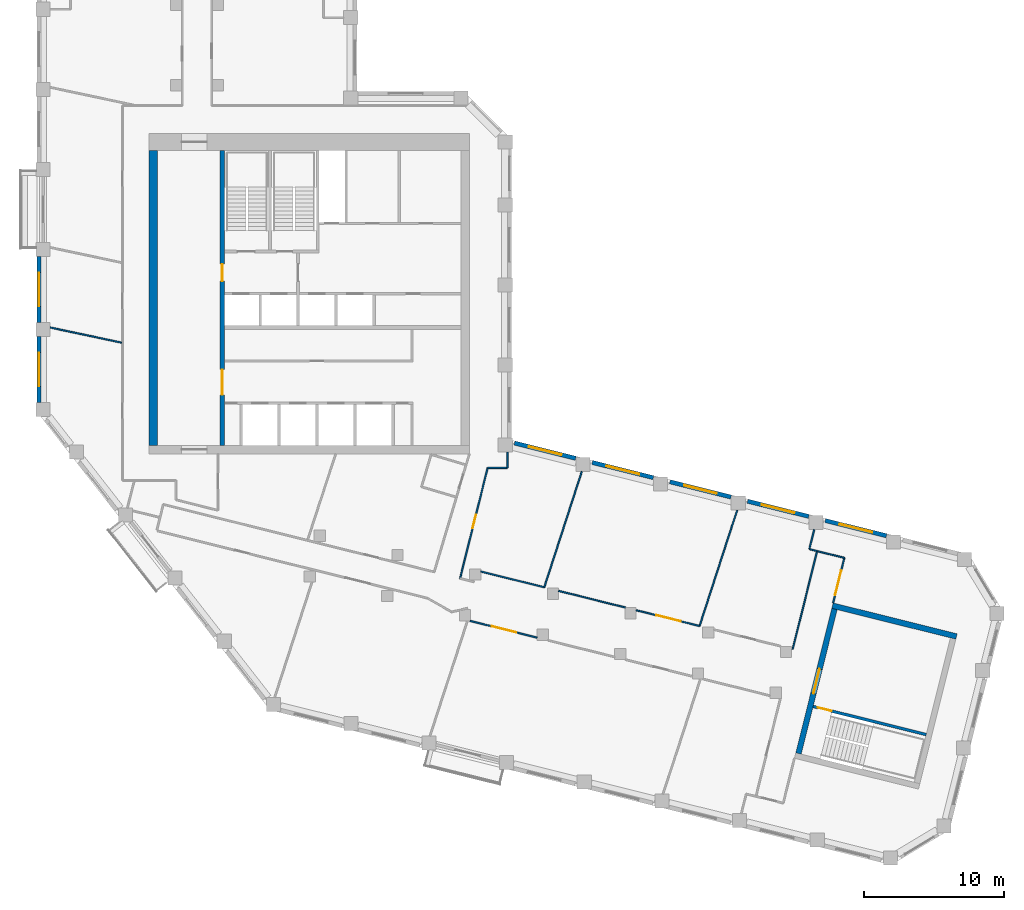
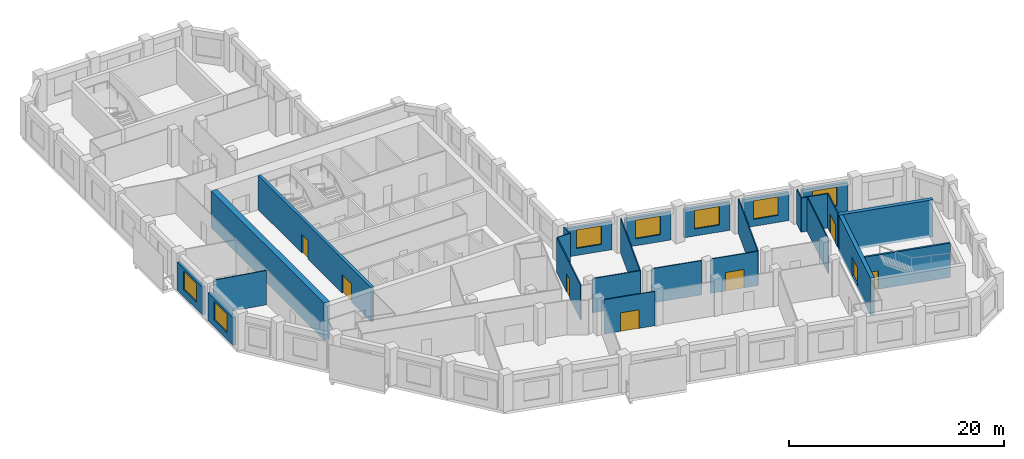
# One storey, part 4 of 9: 27 walls, 8 doors, 7 windows, 15 openings.
"""IFC4 building model written with IfcOpenShell, lengths in metres."""

from ifc_helpers import new_model, si_unit, direction, frame, frame_2d, origin, place, context, subcontext, project, spatial, rectangle, extrude, material, layer, layer_set, type_object, element, fill, save


model = new_model("IFC4")

# Units and contexts
model_context = context("Model", 3, precision=1e-05, world=origin(), true_north=direction((0.0, 1.0)))
body_context = subcontext(model_context, "Body", "Model", "MODEL_VIEW")
ifc_project = project(units=[si_unit("LENGTHUNIT", "METRE"), si_unit("AREAUNIT", "SQUARE_METRE"), si_unit("VOLUMEUNIT", "CUBIC_METRE"), si_unit("PLANEANGLEUNIT", "RADIAN"), si_unit("MASSUNIT", "GRAM", prefix="KILO")], contexts=[model_context])

# Site, building, storey
site_placement = place(None, origin())
site = spatial("IfcSite", under=ifc_project, at=site_placement, CompositionType="ELEMENT")
building_placement = place(site_placement, origin())
building = spatial("IfcBuilding", under=site, at=building_placement, Name="Meshkara Civic Tower", CompositionType="ELEMENT")
storey_placement = place(building_placement, frame((0.0, 0.0, 327.60009765625)))
storey = spatial("IfcBuildingStorey", under=building, at=storey_placement, Name="L75", CompositionType="ELEMENT", Elevation=327.60009765625)

# Wall
ifc_material_1 = material(Name="Concrete C60", Category="concrete")
ifc_layer_1 = layer(ifc_material_1, 0.60009765625)
ifc_layer_set_1 = layer_set([ifc_layer_1], Name="Core ring wall 600 C60")
wall_type_1 = type_object("IfcWallType", Name="Core ring wall 600 C60", PredefinedType="SHEAR", material=ifc_layer_set_1)
wall_1_placement = place(storey_placement, frame((8.300048828125, 14.699951171875, -0.300048828125), z_axis=(0.0, 0.0, 1.0), x_axis=(0.0, 1.0, 0.0)))
element("IfcWall", 1, at=wall_1_placement, inside=storey, type_object=wall_type_1, Name="L75-C003", PredefinedType="SHEAR", context=body_context, shape_type="SweptSolid", body=[
    extrude(rectangle(XDim=21.0, YDim=0.60009765625, at=frame_2d((10.5, 0.0))), origin(), (0.0, 0.0, 1.0), 4.199951171875),
])

# Wall, openings, doors
ifc_material_2 = material(Name="Concrete C60", Category="concrete")
ifc_layer_2 = layer(ifc_material_2, 0.300048828125)
ifc_layer_set_2 = layer_set([ifc_layer_2], Name="Core shear wall 300 C60")
wall_type_2 = type_object("IfcWallType", Name="Core shear wall 300 C60", PredefinedType="SHEAR", material=ifc_layer_set_2)
wall_2_placement = place(storey_placement, frame((13.199951171875, 14.699951171875, 0.0), z_axis=(0.0, 0.0, 1.0), x_axis=(0.0, 1.0, 0.0)))
wall_2 = element("IfcWall", 2, at=wall_2_placement, inside=storey, type_object=wall_type_2, Name="L75-C011", PredefinedType="SHEAR", context=body_context, shape_type="SweptSolid", body=[
    extrude(rectangle(XDim=21.0, YDim=0.300048828125, at=frame_2d((10.5, 0.0))), origin(), (0.0, 0.0, 1.0), 3.89990234375),
])
opening_1_placement = place(wall_2_placement, frame((3.60009765625, 0.0, 0.0)))
opening_1 = element("IfcOpeningElement", 3, at=opening_1_placement, cuts=wall_2, Name="Opening L75-K018", PredefinedType="OPENING", context=body_context, shape_type="SweptSolid", body=[
    extrude(rectangle(XDim=1.800048828125, YDim=2.10009765625, at=frame_2d((0.89990234375, 1.050048828125))), frame((0.0, 0.159912109375, 0.0), z_axis=(0.0, -1.0, 0.0), x_axis=(1.0, 0.0, 0.0)), (0.0, 0.0, 1.0), 0.320068359375),
])
opening_2_placement = place(wall_2_placement, frame((11.699951171875, 0.0, 0.0)))
opening_2 = element("IfcOpeningElement", 4, at=opening_2_placement, cuts=wall_2, Name="Opening L75-K019", PredefinedType="OPENING", context=body_context, shape_type="SweptSolid", body=[
    extrude(rectangle(XDim=1.199951171875, YDim=2.10009765625, at=frame_2d((0.60009765625, 1.050048828125))), frame((0.0, 0.159912109375, 0.0), z_axis=(0.0, -1.0, 0.0), x_axis=(1.0, 0.0, 0.0)), (0.0, 0.0, 1.0), 0.320068359375),
])
ifc_material_3 = material(Name="Fire-rated door leaf in steel frame", Category="steel")
door_type_1 = type_object("IfcDoorType", Name="Core double door 1800 EI 60", OperationType="DOUBLE_DOOR_SINGLE_SWING", PredefinedType="DOOR", material=ifc_material_3)
door_1_placement = place(opening_1_placement, origin())
door_1 = element("IfcDoor", 5, at=door_1_placement, inside=storey, type_object=door_type_1, Name="L75-K018", OperationType="DOUBLE_DOOR_SINGLE_SWING", OverallHeight=2.10009765625, OverallWidth=1.800048828125, PredefinedType="DOOR", context=body_context, shape_type="SweptSolid", body=[
    extrude(rectangle(XDim=1.800048828125, YDim=2.10009765625, at=frame_2d((0.89990234375, 1.050048828125))), frame((0.0, 0.02490234375, 0.0), z_axis=(0.0, -1.0, 0.0), x_axis=(1.0, 0.0, 0.0)), (0.0, 0.0, 1.0), 0.050048828125),
])
fill(opening_1, door_1)
ifc_material_4 = material(Name="Fire-rated door leaf in steel frame", Category="steel")
door_type_2 = type_object("IfcDoorType", Name="Fire-fighting lobby door 1200 EI 120", OperationType="SINGLE_SWING_LEFT", PredefinedType="DOOR", material=ifc_material_4)
door_2_placement = place(opening_2_placement, origin())
door_2 = element("IfcDoor", 6, at=door_2_placement, inside=storey, type_object=door_type_2, Name="L75-K019", OperationType="SINGLE_SWING_LEFT", OverallHeight=2.10009765625, OverallWidth=1.199951171875, PredefinedType="DOOR", context=body_context, shape_type="SweptSolid", body=[
    extrude(rectangle(XDim=1.199951171875, YDim=2.10009765625, at=frame_2d((0.60009765625, 1.050048828125))), frame((0.0, 0.02490234375, 0.0), z_axis=(0.0, -1.0, 0.0), x_axis=(1.0, 0.0, 0.0)), (0.0, 0.0, 1.0), 0.050048828125),
])
fill(opening_2, door_2)

# Wall, opening, door
ifc_material_5 = material(Name="Corridor wall 100")
ifc_layer_3 = layer(ifc_material_5, 0.10009765625)
ifc_layer_set_3 = layer_set([ifc_layer_3], Name="Corridor wall 100")
wall_type_3 = type_object("IfcWallType", Name="Corridor wall 100", PredefinedType="PARTITIONING", material=ifc_layer_set_3)
wall_3_placement = place(storey_placement, frame((30.134033203125, 5.22998046875, 0.0), z_axis=(0.0, 0.0, 1.0), x_axis=(0.24199734369, 0.970276911839, 0.0)))
wall_3 = element("IfcWall", 7, at=wall_3_placement, inside=storey, type_object=wall_type_3, Name="L75-W021", PredefinedType="PARTITIONING", context=body_context, shape_type="SweptSolid", body=[
    extrude(rectangle(XDim=8.111328125, YDim=0.10009765625, at=frame_2d((4.0556640625, 0.0))), origin(), (0.0, 0.0, 1.0), 3.89990234375),
])
opening_3_placement = place(wall_3_placement, frame((3.679931640625, 0.0, 0.0)))
opening_3 = element("IfcOpeningElement", 8, at=opening_3_placement, cuts=wall_3, Name="Opening L75-D011", PredefinedType="OPENING", context=body_context, shape_type="SweptSolid", body=[
    extrude(rectangle(XDim=1.0, YDim=2.10009765625, at=frame_2d((0.5, 1.050048828125))), frame((0.0, 0.06005859375, 0.0), z_axis=(0.0, -1.0, 0.0), x_axis=(1.0, 0.0, 0.0)), (0.0, 0.0, 1.0), 0.1201171875),
])
ifc_material_6 = material(Name="Door 1000 x 2100")
door_type_3 = type_object("IfcDoorType", Name="Door 1000 x 2100", OperationType="SINGLE_SWING_LEFT", PredefinedType="DOOR", material=ifc_material_6)
door_3_placement = place(opening_3_placement, origin())
door_3 = element("IfcDoor", 9, at=door_3_placement, inside=storey, type_object=door_type_3, Name="L75-D011", OperationType="SINGLE_SWING_LEFT", OverallHeight=2.10009765625, OverallWidth=1.0, PredefinedType="DOOR", context=body_context, shape_type="SweptSolid", body=[
    extrude(rectangle(XDim=1.0, YDim=2.10009765625, at=frame_2d((0.5, 1.050048828125))), frame((0.0, 0.02490234375, 0.0), z_axis=(0.0, -1.0, 0.0), x_axis=(1.0, 0.0, 0.0)), (0.0, 0.0, 1.0), 0.050048828125),
])
fill(opening_3, door_3)

wall_4_placement = place(storey_placement, frame((30.84912109375, 2.201904296875, 0.0), z_axis=(0.0, 0.0, 1.0), x_axis=(0.970320559999, -0.241822271189, 0.0)))
wall_4 = element("IfcWall", 10, at=wall_4_placement, inside=storey, type_object=wall_type_3, Name="L75-W023", PredefinedType="PARTITIONING", context=body_context, shape_type="SweptSolid", body=[
    extrude(rectangle(XDim=4.91259765625, YDim=0.10009765625, at=frame_2d((2.456298828125, 0.0))), origin(), (0.0, 0.0, 1.0), 3.89990234375),
])
opening_4_placement = place(wall_4_placement, frame((1.580078125, 0.0, 0.0)))
opening_4 = element("IfcOpeningElement", 11, at=opening_4_placement, cuts=wall_4, Name="Opening L75-D005", PredefinedType="OPENING", context=body_context, shape_type="SweptSolid", body=[
    extrude(rectangle(XDim=1.800048828125, YDim=2.10009765625, at=frame_2d((0.89990234375, 1.050048828125))), frame((0.0, 0.06005859375, 0.0), z_axis=(0.0, -1.0, 0.0), x_axis=(1.0, 0.0, 0.0)), (0.0, 0.0, 1.0), 0.1201171875),
])
ifc_material_7 = material(Name="Door pair 1800 x 2100")
door_type_4 = type_object("IfcDoorType", Name="Door pair 1800 x 2100", OperationType="SINGLE_SWING_LEFT", PredefinedType="DOOR", material=ifc_material_7)
door_4_placement = place(opening_4_placement, origin())
door_4 = element("IfcDoor", 12, at=door_4_placement, inside=storey, type_object=door_type_4, Name="L75-D005", OperationType="DOUBLE_DOOR_SINGLE_SWING", OverallHeight=2.10009765625, OverallWidth=1.800048828125, PredefinedType="DOOR", context=body_context, shape_type="SweptSolid", body=[
    extrude(rectangle(XDim=1.800048828125, YDim=2.10009765625, at=frame_2d((0.89990234375, 1.050048828125))), frame((0.0, 0.02490234375, 0.0), z_axis=(0.0, -1.0, 0.0), x_axis=(1.0, 0.0, 0.0)), (0.0, 0.0, 1.0), 0.050048828125),
])
fill(opening_4, door_4)

# Walls
wall_5_placement = place(storey_placement, frame((32.096923828125, 13.10009765625, 0.0), z_axis=(0.0, 0.0, 1.0), x_axis=(1.0, 0.0, 0.0)))
element("IfcWall", 13, at=wall_5_placement, inside=storey, type_object=wall_type_3, Name="L75-W026", PredefinedType="PARTITIONING", context=body_context, shape_type="SweptSolid", body=[
    extrude(rectangle(XDim=1.403076171875, YDim=0.10009765625, at=frame_2d((0.70166015625, 0.0))), origin(), (0.0, 0.0, 1.0), 3.89990234375),
])
wall_6_placement = place(storey_placement, frame((33.5, 13.10009765625, 0.0), z_axis=(0.0, 0.0, 1.0), x_axis=(0.0, 1.0, 0.0)))
element("IfcWall", 14, at=wall_6_placement, inside=storey, type_object=wall_type_3, Name="L75-W027", PredefinedType="PARTITIONING", context=body_context, shape_type="SweptSolid", body=[
    extrude(rectangle(XDim=1.118896484375, YDim=0.10009765625, at=frame_2d((0.5595703125, 0.0))), origin(), (0.0, 0.0, 1.0), 3.89990234375),
])
wall_7_placement = place(storey_placement, frame((36.1240234375, 4.596923828125, 0.0), z_axis=(0.0, 0.0, 1.0), x_axis=(-0.970305929364, 0.241880969571, 0.0)))
element("IfcWall", 15, at=wall_7_placement, inside=storey, type_object=wall_type_3, Name="L75-W028", PredefinedType="PARTITIONING", context=body_context, shape_type="SweptSolid", body=[
    extrude(rectangle(XDim=4.651123046875, YDim=0.10009765625, at=frame_2d((2.32568359375, 0.0))), origin(), (0.0, 0.0, 1.0), 3.89990234375),
])
wall_8_placement = place(storey_placement, frame((41.907958984375, 3.155029296875, 0.0), z_axis=(0.0, 0.0, 1.0), x_axis=(-0.970308932068, 0.2418689239, 0.0)))
element("IfcWall", 16, at=wall_8_placement, inside=storey, type_object=wall_type_3, Name="L75-W031", PredefinedType="PARTITIONING", context=body_context, shape_type="SweptSolid", body=[
    extrude(rectangle(XDim=4.91162109375, YDim=0.10009765625, at=frame_2d((2.455810546875, 0.0))), origin(), (0.0, 0.0, 1.0), 3.89990234375),
])

# Wall, opening, door
wall_9_placement = place(storey_placement, frame((47.18603515625, 1.839111328125, 0.0), z_axis=(0.0, 0.0, 1.0), x_axis=(-0.970318209974, 0.241831700555, 0.0)))
wall_9 = element("IfcWall", 17, at=wall_9_placement, inside=storey, type_object=wall_type_3, Name="L75-W032", PredefinedType="PARTITIONING", context=body_context, shape_type="SweptSolid", body=[
    extrude(rectangle(XDim=4.652099609375, YDim=0.10009765625, at=frame_2d((2.326171875, 0.0))), origin(), (0.0, 0.0, 1.0), 3.89990234375),
])
opening_5_placement = place(wall_9_placement, frame((1.3798828125, 0.0, 0.0)))
opening_5 = element("IfcOpeningElement", 18, at=opening_5_placement, cuts=wall_9, Name="Opening L75-D006", PredefinedType="OPENING", context=body_context, shape_type="SweptSolid", body=[
    extrude(rectangle(XDim=1.800048828125, YDim=2.10009765625, at=frame_2d((0.89990234375, 1.050048828125))), frame((0.0, 0.06005859375, 0.0), z_axis=(0.0, -1.0, 0.0), x_axis=(1.0, 0.0, 0.0)), (0.0, 0.0, 1.0), 0.1201171875),
])
door_5_placement = place(opening_5_placement, origin())
door_5 = element("IfcDoor", 19, at=door_5_placement, inside=storey, type_object=door_type_4, Name="L75-D006", OperationType="DOUBLE_DOOR_SINGLE_SWING", OverallHeight=2.10009765625, OverallWidth=1.800048828125, PredefinedType="DOOR", context=body_context, shape_type="SweptSolid", body=[
    extrude(rectangle(XDim=1.800048828125, YDim=2.10009765625, at=frame_2d((0.89990234375, 1.050048828125))), frame((0.0, 0.02490234375, 0.0), z_axis=(0.0, -1.0, 0.0), x_axis=(1.0, 0.0, 0.0)), (0.0, 0.0, 1.0), 0.050048828125),
])
fill(opening_5, door_5)

# Wall
wall_10_placement = place(storey_placement, frame((55.555908203125, 7.173095703125, 0.0), z_axis=(0.0, 0.0, 1.0), x_axis=(-0.241937193493, -0.970291911955, 0.0)))
element("IfcWall", 20, at=wall_10_placement, inside=storey, type_object=wall_type_3, Name="L75-W038", PredefinedType="PARTITIONING", context=body_context, shape_type="SweptSolid", body=[
    extrude(rectangle(XDim=7.199951171875, YDim=0.10009765625, at=frame_2d((3.60009765625, 0.0))), origin(), (0.0, 0.0, 1.0), 3.89990234375),
])

# Wall, opening, door
wall_11_placement = place(storey_placement, frame((56.697998046875, 3.487060546875, 0.0), z_axis=(0.0, 0.0, 1.0), x_axis=(0.241856645367, 0.970311992656, 0.0)))
wall_11 = element("IfcWall", 21, at=wall_11_placement, inside=storey, type_object=wall_type_3, Name="L75-W039", PredefinedType="PARTITIONING", context=body_context, shape_type="SweptSolid", body=[
    extrude(rectangle(XDim=3.2998046875, YDim=0.10009765625, at=frame_2d((1.64990234375, 0.0))), origin(), (0.0, 0.0, 1.0), 3.89990234375),
])
opening_6_placement = place(wall_11_placement, frame((0.580078125, 0.0, 0.0)))
opening_6 = element("IfcOpeningElement", 22, at=opening_6_placement, cuts=wall_11, Name="Opening L75-D008", PredefinedType="OPENING", context=body_context, shape_type="SweptSolid", body=[
    extrude(rectangle(XDim=1.800048828125, YDim=2.10009765625, at=frame_2d((0.89990234375, 1.050048828125))), frame((0.0, 0.06005859375, 0.0), z_axis=(0.0, -1.0, 0.0), x_axis=(1.0, 0.0, 0.0)), (0.0, 0.0, 1.0), 0.1201171875),
])
door_6_placement = place(opening_6_placement, origin())
door_6 = element("IfcDoor", 23, at=door_6_placement, inside=storey, type_object=door_type_4, Name="L75-D008", OperationType="DOUBLE_DOOR_SINGLE_SWING", OverallHeight=2.10009765625, OverallWidth=1.800048828125, PredefinedType="DOOR", context=body_context, shape_type="SweptSolid", body=[
    extrude(rectangle(XDim=1.800048828125, YDim=2.10009765625, at=frame_2d((0.89990234375, 1.050048828125))), frame((0.0, 0.02490234375, 0.0), z_axis=(0.0, -1.0, 0.0), x_axis=(1.0, 0.0, 0.0)), (0.0, 0.0, 1.0), 0.050048828125),
])
fill(opening_6, door_6)

# Wall
wall_12_placement = place(storey_placement, frame((57.49609375, 6.68896484375, 0.0), z_axis=(0.0, 0.0, 1.0), x_axis=(-0.970250131019, 0.242104694829, 0.0)))
element("IfcWall", 24, at=wall_12_placement, inside=storey, type_object=wall_type_3, Name="L75-W040", PredefinedType="PARTITIONING", context=body_context, shape_type="SweptSolid", body=[
    extrude(rectangle(XDim=1.999755859375, YDim=0.10009765625, at=frame_2d((1.0, 0.0))), origin(), (0.0, 0.0, 1.0), 3.89990234375),
])

# Wall, opening, window
ifc_material_8 = material(Name="Insulated infill panel with bronze anodised aluminium cladding", Category="aluminium")
ifc_layer_4 = layer(ifc_material_8, 0.300048828125)
ifc_layer_set_4 = layer_set([ifc_layer_4], Name="EXTERNAL INFILL WALL 300")
wall_type_4 = type_object("IfcWallType", Name="EXTERNAL INFILL WALL 300", PredefinedType="SOLIDWALL", material=ifc_layer_set_4)
wall_13_placement = place(storey_placement, frame((60.488037109375, 8.261962890625, 0.0), z_axis=(0.0, 0.0, 1.0), x_axis=(-0.970276766004, 0.241997928406, 0.0)))
wall_13 = element("IfcWall", 25, at=wall_13_placement, inside=storey, type_object=wall_type_4, Name="External wall", PredefinedType="SOLIDWALL", context=body_context, shape_type="SweptSolid", body=[
    extrude(rectangle(XDim=4.4873046875, YDim=0.300048828125, at=frame_2d((2.24365234375, 0.0))), origin(), (0.0, 0.0, 1.0), 3.199951171875),
])
opening_7_placement = place(wall_13_placement, frame((1.0439453125, 0.0, 0.800048828125)))
opening_7 = element("IfcOpeningElement", 26, at=opening_7_placement, cuts=wall_13, Name="Opening W7", PredefinedType="OPENING", context=body_context, shape_type="SweptSolid", body=[
    extrude(rectangle(XDim=2.39990234375, YDim=2.10009765625, at=frame_2d((1.199951171875, 1.050048828125))), frame((0.0, 0.159912109375, 0.0), z_axis=(0.0, -1.0, 0.0), x_axis=(1.0, 0.0, 0.0)), (0.0, 0.0, 1.0), 0.320068359375),
])
ifc_material_9 = material(Name="Tinted double glazing", Category="glass")
window_type = type_object("IfcWindowType", Name="WINDOW 2400x2100", PartitioningType="DOUBLE_PANEL_VERTICAL", PredefinedType="WINDOW", material=ifc_material_9)
window_1_placement = place(opening_7_placement, origin())
window_1 = element("IfcWindow", 27, at=window_1_placement, inside=storey, type_object=window_type, Name="Window", OverallHeight=2.10009765625, OverallWidth=2.39990234375, PartitioningType="DOUBLE_PANEL_VERTICAL", PredefinedType="WINDOW", context=body_context, shape_type="SweptSolid", body=[
    extrude(rectangle(XDim=2.39990234375, YDim=2.10009765625, at=frame_2d((1.199951171875, 1.050048828125))), frame((0.0, 0.030029296875, 0.0), z_axis=(0.0, -1.0, 0.0), x_axis=(1.0, 0.0, 0.0)), (0.0, 0.0, 1.0), 0.06005859375),
])
fill(opening_7, window_1)

wall_14_placement = place(storey_placement, frame((54.9580078125, 9.64111328125, 0.0), z_axis=(0.0, 0.0, 1.0), x_axis=(-0.970289506684, 0.241946839653, 0.0)))
wall_14 = element("IfcWall", 28, at=wall_14_placement, inside=storey, type_object=wall_type_4, Name="External wall", PredefinedType="SOLIDWALL", context=body_context, shape_type="SweptSolid", body=[
    extrude(rectangle(XDim=4.48828125, YDim=0.300048828125, at=frame_2d((2.244140625, 0.0))), origin(), (0.0, 0.0, 1.0), 3.199951171875),
])
opening_8_placement = place(wall_14_placement, frame((1.0439453125, 0.0, 0.800048828125)))
opening_8 = element("IfcOpeningElement", 29, at=opening_8_placement, cuts=wall_14, Name="Opening W7", PredefinedType="OPENING", context=body_context, shape_type="SweptSolid", body=[
    extrude(rectangle(XDim=2.39990234375, YDim=2.10009765625, at=frame_2d((1.199951171875, 1.050048828125))), frame((0.0, 0.159912109375, 0.0), z_axis=(0.0, -1.0, 0.0), x_axis=(1.0, 0.0, 0.0)), (0.0, 0.0, 1.0), 0.320068359375),
])
window_2_placement = place(opening_8_placement, origin())
window_2 = element("IfcWindow", 30, at=window_2_placement, inside=storey, type_object=window_type, Name="Window", OverallHeight=2.10009765625, OverallWidth=2.39990234375, PartitioningType="DOUBLE_PANEL_VERTICAL", PredefinedType="WINDOW", context=body_context, shape_type="SweptSolid", body=[
    extrude(rectangle(XDim=2.39990234375, YDim=2.10009765625, at=frame_2d((1.199951171875, 1.050048828125))), frame((0.0, 0.030029296875, 0.0), z_axis=(0.0, -1.0, 0.0), x_axis=(1.0, 0.0, 0.0)), (0.0, 0.0, 1.0), 0.06005859375),
])
fill(opening_8, window_2)

wall_15_placement = place(storey_placement, frame((49.427001953125, 11.02001953125, 0.0), z_axis=(0.0, 0.0, 1.0), x_axis=(-0.970289506684, 0.241946839653, 0.0)))
wall_15 = element("IfcWall", 31, at=wall_15_placement, inside=storey, type_object=wall_type_4, Name="External wall", PredefinedType="SOLIDWALL", context=body_context, shape_type="SweptSolid", body=[
    extrude(rectangle(XDim=4.48828125, YDim=0.300048828125, at=frame_2d((2.244140625, 0.0))), origin(), (0.0, 0.0, 1.0), 3.199951171875),
])
opening_9_placement = place(wall_15_placement, frame((1.0439453125, 0.0, 0.800048828125)))
opening_9 = element("IfcOpeningElement", 32, at=opening_9_placement, cuts=wall_15, Name="Opening W7", PredefinedType="OPENING", context=body_context, shape_type="SweptSolid", body=[
    extrude(rectangle(XDim=2.39990234375, YDim=2.10009765625, at=frame_2d((1.199951171875, 1.050048828125))), frame((0.0, 0.159912109375, 0.0), z_axis=(0.0, -1.0, 0.0), x_axis=(1.0, 0.0, 0.0)), (0.0, 0.0, 1.0), 0.320068359375),
])
window_3_placement = place(opening_9_placement, origin())
window_3 = element("IfcWindow", 33, at=window_3_placement, inside=storey, type_object=window_type, Name="Window", OverallHeight=2.10009765625, OverallWidth=2.39990234375, PartitioningType="DOUBLE_PANEL_VERTICAL", PredefinedType="WINDOW", context=body_context, shape_type="SweptSolid", body=[
    extrude(rectangle(XDim=2.39990234375, YDim=2.10009765625, at=frame_2d((1.199951171875, 1.050048828125))), frame((0.0, 0.030029296875, 0.0), z_axis=(0.0, -1.0, 0.0), x_axis=(1.0, 0.0, 0.0)), (0.0, 0.0, 1.0), 0.06005859375),
])
fill(opening_9, window_3)

wall_16_placement = place(storey_placement, frame((43.89599609375, 12.39892578125, 0.0), z_axis=(0.0, 0.0, 1.0), x_axis=(-0.970263990019, 0.242049147224, 0.0)))
wall_16 = element("IfcWall", 34, at=wall_16_placement, inside=storey, type_object=wall_type_4, Name="External wall", PredefinedType="SOLIDWALL", context=body_context, shape_type="SweptSolid", body=[
    extrude(rectangle(XDim=4.487548828125, YDim=0.300048828125, at=frame_2d((2.24365234375, 0.0))), origin(), (0.0, 0.0, 1.0), 3.199951171875),
])
opening_10_placement = place(wall_16_placement, frame((1.0439453125, 0.0, 0.800048828125)))
opening_10 = element("IfcOpeningElement", 35, at=opening_10_placement, cuts=wall_16, Name="Opening W7", PredefinedType="OPENING", context=body_context, shape_type="SweptSolid", body=[
    extrude(rectangle(XDim=2.39990234375, YDim=2.10009765625, at=frame_2d((1.199951171875, 1.050048828125))), frame((0.0, 0.159912109375, 0.0), z_axis=(0.0, -1.0, 0.0), x_axis=(1.0, 0.0, 0.0)), (0.0, 0.0, 1.0), 0.320068359375),
])
window_4_placement = place(opening_10_placement, origin())
window_4 = element("IfcWindow", 36, at=window_4_placement, inside=storey, type_object=window_type, Name="Window", OverallHeight=2.10009765625, OverallWidth=2.39990234375, PartitioningType="DOUBLE_PANEL_VERTICAL", PredefinedType="WINDOW", context=body_context, shape_type="SweptSolid", body=[
    extrude(rectangle(XDim=2.39990234375, YDim=2.10009765625, at=frame_2d((1.199951171875, 1.050048828125))), frame((0.0, 0.030029296875, 0.0), z_axis=(0.0, -1.0, 0.0), x_axis=(1.0, 0.0, 0.0)), (0.0, 0.0, 1.0), 0.06005859375),
])
fill(opening_10, window_4)

wall_17_placement = place(storey_placement, frame((38.365966796875, 13.778076171875, 0.0), z_axis=(0.0, 0.0, 1.0), x_axis=(-0.970289506684, 0.241946839653, 0.0)))
wall_17 = element("IfcWall", 37, at=wall_17_placement, inside=storey, type_object=wall_type_4, Name="External wall", PredefinedType="SOLIDWALL", context=body_context, shape_type="SweptSolid", body=[
    extrude(rectangle(XDim=4.48828125, YDim=0.300048828125, at=frame_2d((2.244140625, 0.0))), origin(), (0.0, 0.0, 1.0), 3.199951171875),
])
opening_11_placement = place(wall_17_placement, frame((1.0439453125, 0.0, 0.800048828125)))
opening_11 = element("IfcOpeningElement", 38, at=opening_11_placement, cuts=wall_17, Name="Opening W7", PredefinedType="OPENING", context=body_context, shape_type="SweptSolid", body=[
    extrude(rectangle(XDim=2.39990234375, YDim=2.10009765625, at=frame_2d((1.199951171875, 1.050048828125))), frame((0.0, 0.159912109375, 0.0), z_axis=(0.0, -1.0, 0.0), x_axis=(1.0, 0.0, 0.0)), (0.0, 0.0, 1.0), 0.320068359375),
])
window_5_placement = place(opening_11_placement, origin())
window_5 = element("IfcWindow", 39, at=window_5_placement, inside=storey, type_object=window_type, Name="Window", OverallHeight=2.10009765625, OverallWidth=2.39990234375, PartitioningType="DOUBLE_PANEL_VERTICAL", PredefinedType="WINDOW", context=body_context, shape_type="SweptSolid", body=[
    extrude(rectangle(XDim=2.39990234375, YDim=2.10009765625, at=frame_2d((1.199951171875, 1.050048828125))), frame((0.0, 0.030029296875, 0.0), z_axis=(0.0, -1.0, 0.0), x_axis=(1.0, 0.0, 0.0)), (0.0, 0.0, 1.0), 0.06005859375),
])
fill(opening_11, window_5)

wall_18_placement = place(storey_placement, frame((0.14990234375, 28.155029296875, 0.0), z_axis=(0.0, 0.0, 1.0), x_axis=(0.0, -1.0, 0.0)))
wall_18 = element("IfcWall", 40, at=wall_18_placement, inside=storey, type_object=wall_type_4, Name="External wall", PredefinedType="SOLIDWALL", context=body_context, shape_type="SweptSolid", body=[
    extrude(rectangle(XDim=4.699951171875, YDim=0.300048828125, at=frame_2d((2.35009765625, 0.0))), origin(), (0.0, 0.0, 1.0), 3.199951171875),
])
opening_12_placement = place(wall_18_placement, frame((1.14990234375, 0.0, 0.800048828125)))
opening_12 = element("IfcOpeningElement", 41, at=opening_12_placement, cuts=wall_18, Name="Opening W7", PredefinedType="OPENING", context=body_context, shape_type="SweptSolid", body=[
    extrude(rectangle(XDim=2.39990234375, YDim=2.10009765625, at=frame_2d((1.199951171875, 1.050048828125))), frame((0.0, 0.159912109375, 0.0), z_axis=(0.0, -1.0, 0.0), x_axis=(1.0, 0.0, 0.0)), (0.0, 0.0, 1.0), 0.320068359375),
])
window_6_placement = place(opening_12_placement, origin())
window_6 = element("IfcWindow", 42, at=window_6_placement, inside=storey, type_object=window_type, Name="Window", OverallHeight=2.10009765625, OverallWidth=2.39990234375, PartitioningType="DOUBLE_PANEL_VERTICAL", PredefinedType="WINDOW", context=body_context, shape_type="SweptSolid", body=[
    extrude(rectangle(XDim=2.39990234375, YDim=2.10009765625, at=frame_2d((1.199951171875, 1.050048828125))), frame((0.0, 0.030029296875, 0.0), z_axis=(0.0, -1.0, 0.0), x_axis=(1.0, 0.0, 0.0)), (0.0, 0.0, 1.0), 0.06005859375),
])
fill(opening_12, window_6)

wall_19_placement = place(storey_placement, frame((0.14990234375, 22.455078125, 0.0), z_axis=(0.0, 0.0, 1.0), x_axis=(0.0, -1.0, 0.0)))
wall_19 = element("IfcWall", 43, at=wall_19_placement, inside=storey, type_object=wall_type_4, Name="External wall", PredefinedType="SOLIDWALL", context=body_context, shape_type="SweptSolid", body=[
    extrude(rectangle(XDim=4.7001953125, YDim=0.300048828125, at=frame_2d((2.35009765625, 0.0))), origin(), (0.0, 0.0, 1.0), 3.199951171875),
])
opening_13_placement = place(wall_19_placement, frame((1.14990234375, 0.0, 0.800048828125)))
opening_13 = element("IfcOpeningElement", 44, at=opening_13_placement, cuts=wall_19, Name="Opening W7", PredefinedType="OPENING", context=body_context, shape_type="SweptSolid", body=[
    extrude(rectangle(XDim=2.39990234375, YDim=2.10009765625, at=frame_2d((1.199951171875, 1.050048828125))), frame((0.0, 0.159912109375, 0.0), z_axis=(0.0, -1.0, 0.0), x_axis=(1.0, 0.0, 0.0)), (0.0, 0.0, 1.0), 0.320068359375),
])
window_7_placement = place(opening_13_placement, origin())
window_7 = element("IfcWindow", 45, at=window_7_placement, inside=storey, type_object=window_type, Name="Window", OverallHeight=2.10009765625, OverallWidth=2.39990234375, PartitioningType="DOUBLE_PANEL_VERTICAL", PredefinedType="WINDOW", context=body_context, shape_type="SweptSolid", body=[
    extrude(rectangle(XDim=2.39990234375, YDim=2.10009765625, at=frame_2d((1.199951171875, 1.050048828125))), frame((0.0, 0.030029296875, 0.0), z_axis=(0.0, -1.0, 0.0), x_axis=(1.0, 0.0, 0.0)), (0.0, 0.0, 1.0), 0.06005859375),
])
fill(opening_13, window_7)

# Wall
ifc_material_10 = material(Name="Concrete C60", Category="concrete")
ifc_layer_5 = layer(ifc_material_10, 0.39990234375)
ifc_layer_set_5 = layer_set([ifc_layer_5], Name="End core ring wall 400 C60")
wall_type_5 = type_object("IfcWallType", Name="End core ring wall 400 C60", PredefinedType="SHEAR", material=ifc_layer_set_5)
wall_20_placement = place(storey_placement, frame((56.64892578125, 3.29296875, -0.300048828125), z_axis=(0.0, 0.0, 1.0), x_axis=(0.970312696888, -0.241853820019, 0.0)))
element("IfcWall", 46, at=wall_20_placement, inside=storey, type_object=wall_type_5, Name="L75-C033", PredefinedType="SHEAR", context=body_context, shape_type="SweptSolid", body=[
    extrude(rectangle(XDim=9.100341796875, YDim=0.39990234375, at=frame_2d((4.55029296875, 0.0))), origin(), (0.0, 0.0, 1.0), 4.199951171875),
])

# Wall, opening, door
wall_21_placement = place(storey_placement, frame((54.23095703125, -7.23388671875, -0.300048828125), z_axis=(0.0, 0.0, 1.0), x_axis=(0.241890652548, 0.970303515509, 0.0)))
wall_21 = element("IfcWall", 47, at=wall_21_placement, inside=storey, type_object=wall_type_5, Name="L75-C034", PredefinedType="SHEAR", context=body_context, shape_type="SweptSolid", body=[
    extrude(rectangle(XDim=10.599609375, YDim=0.39990234375, at=frame_2d((5.2998046875, 0.0))), origin(), (0.0, 0.0, 1.0), 4.199951171875),
])
opening_14_placement = place(wall_21_placement, frame((4.39990234375, 0.0, 0.300048828125)))
opening_14 = element("IfcOpeningElement", 48, at=opening_14_placement, cuts=wall_21, Name="Opening L75-K202", PredefinedType="OPENING", context=body_context, shape_type="SweptSolid", body=[
    extrude(rectangle(XDim=1.800048828125, YDim=2.10009765625, at=frame_2d((0.89990234375, 1.050048828125))), frame((0.0, 0.2099609375, 0.0), z_axis=(0.0, -1.0, 0.0), x_axis=(1.0, 0.0, 0.0)), (0.0, 0.0, 1.0), 0.419921875),
])
door_7_placement = place(opening_14_placement, origin())
door_7 = element("IfcDoor", 49, at=door_7_placement, inside=storey, type_object=door_type_1, Name="L75-K202", OperationType="DOUBLE_DOOR_SINGLE_SWING", OverallHeight=2.10009765625, OverallWidth=1.800048828125, PredefinedType="DOOR", context=body_context, shape_type="SweptSolid", body=[
    extrude(rectangle(XDim=1.800048828125, YDim=2.10009765625, at=frame_2d((0.89990234375, 1.050048828125))), frame((0.0, 0.02490234375, 0.0), z_axis=(0.0, -1.0, 0.0), x_axis=(1.0, 0.0, 0.0)), (0.0, 0.0, 1.0), 0.050048828125),
])
fill(opening_14, door_7)

# Walls
ifc_material_11 = material(Name="Partition 100")
ifc_layer_6 = layer(ifc_material_11, 0.10009765625)
ifc_layer_set_6 = layer_set([ifc_layer_6], Name="Partition 100")
wall_type_6 = type_object("IfcWallType", Name="Partition 100", PredefinedType="PARTITIONING", material=ifc_layer_set_6)
wall_22_placement = place(storey_placement, frame((6.0400390625, 22.011962890625, 0.0), z_axis=(0.0, 0.0, 1.0), x_axis=(-0.978143705428, 0.207930015946, 0.0)))
element("IfcWall", 50, at=wall_22_placement, inside=storey, type_object=wall_type_6, Name="L75-W043", PredefinedType="PARTITIONING", context=body_context, shape_type="SweptSolid", body=[
    extrude(rectangle(XDim=5.203857421875, YDim=0.10009765625, at=frame_2d((2.60205078125, 0.0))), origin(), (0.0, 0.0, 1.0), 3.89990234375),
])
wall_23_placement = place(storey_placement, frame((36.1240234375, 4.596923828125, 0.0), z_axis=(0.0, 0.0, 1.0), x_axis=(0.308976518606, 0.951069666717, 0.0)))
element("IfcWall", 51, at=wall_23_placement, inside=storey, type_object=wall_type_6, Name="L75-W056", PredefinedType="PARTITIONING", context=body_context, shape_type="SweptSolid", body=[
    extrude(rectangle(XDim=8.667236328125, YDim=0.10009765625, at=frame_2d((4.33349609375, 0.0))), origin(), (0.0, 0.0, 1.0), 3.89990234375),
])
wall_24_placement = place(storey_placement, frame((47.18603515625, 1.839111328125, 0.0), z_axis=(0.0, 0.0, 1.0), x_axis=(0.30898479626, 0.951066977494, 0.0)))
element("IfcWall", 52, at=wall_24_placement, inside=storey, type_object=wall_type_6, Name="L75-W058", PredefinedType="PARTITIONING", context=body_context, shape_type="SweptSolid", body=[
    extrude(rectangle(XDim=8.6669921875, YDim=0.10009765625, at=frame_2d((4.33349609375, 0.0))), origin(), (0.0, 0.0, 1.0), 3.89990234375),
])
wall_25_placement = place(storey_placement, frame((55.0009765625, 7.31103515625, 0.0), z_axis=(0.0, 0.0, 1.0), x_axis=(0.24185476373, 0.970312461664, 0.0)))
element("IfcWall", 53, at=wall_25_placement, inside=storey, type_object=wall_type_6, Name="L75-W061", PredefinedType="PARTITIONING", context=body_context, shape_type="SweptSolid", body=[
    extrude(rectangle(XDim=1.434326171875, YDim=0.10009765625, at=frame_2d((0.71728515625, 0.0))), origin(), (0.0, 0.0, 1.0), 3.89990234375),
])
wall_26_placement = place(storey_placement, frame((55.56005859375, 7.172119140625, 0.0), z_axis=(0.0, 0.0, 1.0), x_axis=(-0.970490503334, 0.241139343405, 0.0)))
element("IfcWall", 54, at=wall_26_placement, inside=storey, type_object=wall_type_6, Name="L75-W062", PredefinedType="PARTITIONING", context=body_context, shape_type="SweptSolid", body=[
    extrude(rectangle(XDim=0.576171875, YDim=0.10009765625, at=frame_2d((0.2880859375, 0.0))), origin(), (0.0, 0.0, 1.0), 3.89990234375),
])

# Wall, opening, door
ifc_material_12 = material(Name="Concrete C40/50", Category="concrete")
ifc_layer_7 = layer(ifc_material_12, 0.199951171875)
ifc_layer_set_7 = layer_set([ifc_layer_7], Name="Stair enclosure wall 200 C40/50")
wall_type_7 = type_object("IfcWallType", Name="Stair enclosure wall 200 C40/50", PredefinedType="SOLIDWALL", material=ifc_layer_set_7)
wall_27_placement = place(storey_placement, frame((55.27099609375, -3.886962890625, 0.0), z_axis=(0.0, 0.0, 1.0), x_axis=(0.970296288869, -0.241919639151, 0.0)))
wall_27 = element("IfcWall", 55, at=wall_27_placement, inside=storey, type_object=wall_type_7, Name="L75-C036", PredefinedType="SOLIDWALL", context=body_context, shape_type="SweptSolid", body=[
    extrude(rectangle(XDim=8.300537109375, YDim=0.199951171875, at=frame_2d((4.150390625, 0.0))), origin(), (0.0, 0.0, 1.0), 3.89990234375),
])
opening_15_placement = place(wall_27_placement, frame((0.35009765625, 0.0, 0.0)))
opening_15 = element("IfcOpeningElement", 56, at=opening_15_placement, cuts=wall_27, Name="Opening L75-K201", PredefinedType="OPENING", context=body_context, shape_type="SweptSolid", body=[
    extrude(rectangle(XDim=1.0, YDim=2.10009765625, at=frame_2d((0.5, 1.050048828125))), frame((0.0, 0.10986328125, 0.0), z_axis=(0.0, -1.0, 0.0), x_axis=(1.0, 0.0, 0.0)), (0.0, 0.0, 1.0), 0.219970703125),
])
ifc_material_13 = material(Name="Fire-rated door leaf in steel frame", Category="steel")
door_type_5 = type_object("IfcDoorType", Name="Stair door 1000 EI 120", OperationType="SINGLE_SWING_LEFT", PredefinedType="DOOR", material=ifc_material_13)
door_8_placement = place(opening_15_placement, origin())
door_8 = element("IfcDoor", 57, at=door_8_placement, inside=storey, type_object=door_type_5, Name="L75-K201", OperationType="SINGLE_SWING_LEFT", OverallHeight=2.10009765625, OverallWidth=1.0, PredefinedType="DOOR", context=body_context, shape_type="SweptSolid", body=[
    extrude(rectangle(XDim=1.0, YDim=2.10009765625, at=frame_2d((0.5, 1.050048828125))), frame((0.0, 0.02490234375, 0.0), z_axis=(0.0, -1.0, 0.0), x_axis=(1.0, 0.0, 0.0)), (0.0, 0.0, 1.0), 0.050048828125),
])
fill(opening_15, door_8)

save(model, "model.ifc")
